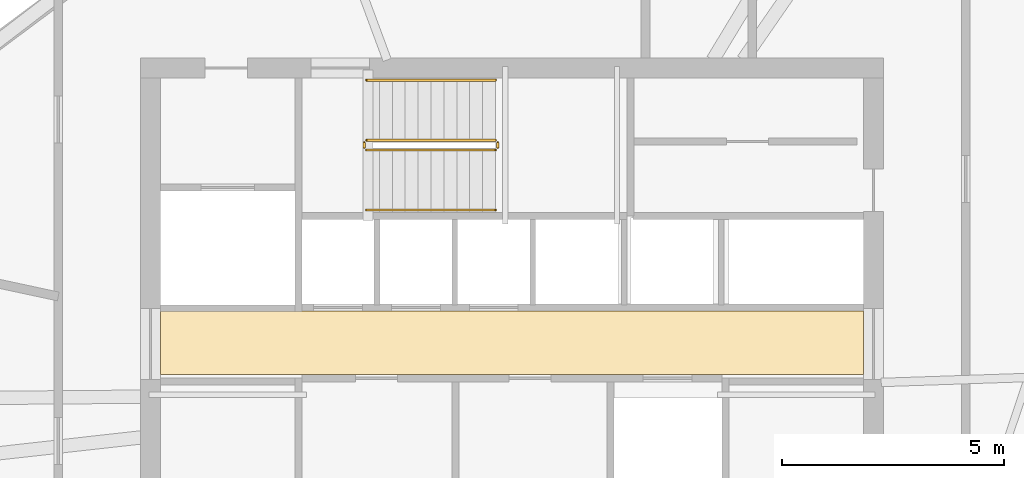
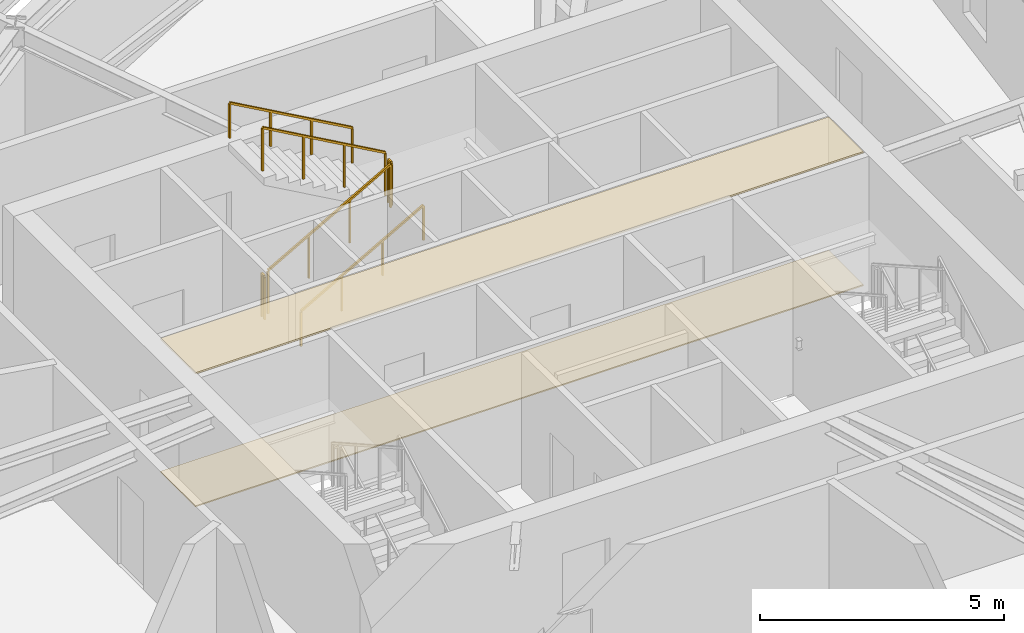
# One storey, part 12 of 13: 6 railings, 2 coverings.
"""IFC4 building model written with IfcOpenShell, lengths in metres."""

from ifc_helpers import new_model, si_unit, direction, frame, origin, origin_2d, place, context, subcontext, project, spatial, polyline, rectangle, outline, extrude, material, layer, layer_set, type_object, element, save


model = new_model("IFC4")

# Units and contexts
model_context = context("Model", 3, precision=1e-05, world=origin(), true_north=direction((0.0, 1.0)))
body_context = subcontext(model_context, "Body", "Model", "MODEL_VIEW")
ifc_project = project(units=[si_unit("LENGTHUNIT", "METRE"), si_unit("AREAUNIT", "SQUARE_METRE"), si_unit("VOLUMEUNIT", "CUBIC_METRE"), si_unit("PLANEANGLEUNIT", "RADIAN"), si_unit("MASSUNIT", "GRAM", prefix="KILO")], contexts=[model_context])

# Site, building, storey
site_placement = place(None, origin())
site = spatial("IfcSite", under=ifc_project, at=site_placement, CompositionType="ELEMENT")
building_placement = place(site_placement, origin())
building = spatial("IfcBuilding", under=site, at=building_placement, Name="Olszyna Solenne Hotel", CompositionType="ELEMENT")
storey_placement = place(building_placement, frame((0.0, 0.0, 263.300048828125)))
storey = spatial("IfcBuildingStorey", under=building, at=storey_placement, Name="L70", CompositionType="ELEMENT", Elevation=263.300048828125)

# Coverings
ifc_material_1 = material(Name="Mineral wool acoustic ceiling")
ifc_layer_1 = layer(ifc_material_1, 0.0400390625, Name="Mineral wool acoustic ceiling")
ifc_layer_set_1 = layer_set([ifc_layer_1], Name="Mineral wool acoustic ceiling")
covering_type_1 = type_object("IfcCoveringType", Name="CL-AC1", PredefinedType="CEILING", material=ifc_layer_set_1)
covering_1_placement = place(storey_placement, frame((0.0, 0.0, 3.320068359375)))
element("IfcCovering", 1, at=covering_1_placement, inside=storey, type_object=covering_type_1, Name="Lift lobby acoustic tile ceiling CL-L70-01", PredefinedType="CEILING", context=body_context, shape_type="SweptSolid", body=[
    extrude(outline(polyline([(30.10009765625, 27.030029296875), (45.89990234375, 27.030029296875), (45.89990234375, 28.4599609375), (30.10009765625, 28.4599609375), (30.10009765625, 27.030029296875)])), origin(), (0.0, 0.0, 1.0), 0.039794921875),
])
ifc_material_2 = material(Name="Ceramic floor tile")
ifc_layer_2 = layer(ifc_material_2, 0.030029296875, Name="Ceramic floor tile")
ifc_layer_set_2 = layer_set([ifc_layer_2], Name="Ceramic floor tile")
covering_type_2 = type_object("IfcCoveringType", Name="FL-TL1", PredefinedType="FLOORING", material=ifc_layer_set_2)
covering_2_placement = place(storey_placement, origin())
element("IfcCovering", 2, at=covering_2_placement, inside=storey, type_object=covering_type_2, Name="Lift lobby stoneware floor finish FLR-L70-01", PredefinedType="FLOORING", context=body_context, shape_type="SweptSolid", body=[
    extrude(outline(polyline([(30.10009765625, 27.030029296875), (45.89990234375, 27.030029296875), (45.89990234375, 28.4599609375), (30.10009765625, 28.4599609375), (30.10009765625, 27.030029296875)])), origin(), (0.0, 0.0, 1.0), 0.030029296875),
])

# Railings
ifc_material_3 = material(Name="Anodised bronze aluminium", Category="aluminium")
railing_type_1 = type_object("IfcRailingType", Name="GR-110", PredefinedType="BALUSTRADE", material=ifc_material_3)
railing_1_placement = place(storey_placement, frame((34.72998046875, 32.080078125, 0.16357421875)))
element("IfcRailing", 3, at=railing_1_placement, inside=storey, type_object=railing_type_1, Name="L70 ST3 stair guard 1", PredefinedType="BALUSTRADE", context=body_context, shape_type="SweptSolid", body=[
    extrude(rectangle(XDim=0.048095703125, YDim=0.048095703125, at=origin_2d()), frame((0.0, 0.0, 1.076171875), z_axis=(0.870897200241, 0.0, 0.491465224214), x_axis=(0.0, 1.0, 0.0)), (0.0, 0.0, 1.0), 3.329833984375),
    extrude(rectangle(XDim=0.0419921875, YDim=0.0419921875, at=origin_2d()), origin(), (0.0, 0.0, 1.0), 1.052001953125),
    extrude(rectangle(XDim=0.0419921875, YDim=0.0419921875, at=origin_2d()), frame((0.966552734375, 0.0, 0.54541015625)), (0.0, 0.0, 1.0), 1.052001953125),
    extrude(rectangle(XDim=0.0419921875, YDim=0.0419921875, at=origin_2d()), frame((1.933349609375, 0.0, 1.091064453125)), (0.0, 0.0, 1.0), 1.052001953125),
    extrude(rectangle(XDim=0.0419921875, YDim=0.0419921875, at=origin_2d()), frame((2.89990234375, 0.0, 1.636474609375)), (0.0, 0.0, 1.0), 1.052001953125),
])
railing_2_placement = place(storey_placement, frame((37.679931640625, 32.1298828125, 1.800048828125)))
element("IfcRailing", 4, at=railing_2_placement, inside=storey, type_object=railing_type_1, Name="L70 ST3 stair guard 2", PredefinedType="BALUSTRADE", context=body_context, shape_type="SweptSolid", body=[
    extrude(rectangle(XDim=0.048095703125, YDim=0.048095703125, at=origin_2d()), frame((0.0, 0.0, 1.076171875), z_axis=(0.0, 1.0, 0.0), x_axis=(-1.0, 0.0, 0.0)), (0.0, 0.0, 1.0), 0.1201171875),
    extrude(rectangle(XDim=0.0419921875, YDim=0.0419921875, at=origin_2d()), origin(), (0.0, 0.0, 1.0), 1.052001953125),
    extrude(rectangle(XDim=0.0419921875, YDim=0.0419921875, at=origin_2d()), frame((0.0, 0.1201171875, 0.0)), (0.0, 0.0, 1.0), 1.052001953125),
])
railing_3_placement = place(storey_placement, frame((37.6298828125, 32.300048828125, 1.963623046875)))
element("IfcRailing", 5, at=railing_3_placement, inside=storey, type_object=railing_type_1, Name="L70 ST3 stair guard 3", PredefinedType="BALUSTRADE", context=body_context, shape_type="SweptSolid", body=[
    extrude(rectangle(XDim=0.048095703125, YDim=0.048095703125, at=origin_2d()), frame((0.0, 0.0, 1.076171875), z_axis=(-0.870928581787, 0.0, 0.491409610636), x_axis=(0.0, -1.0, 0.0)), (0.0, 0.0, 1.0), 3.32958984375),
    extrude(rectangle(XDim=0.0419921875, YDim=0.0419921875, at=origin_2d()), origin(), (0.0, 0.0, 1.0), 1.052001953125),
    extrude(rectangle(XDim=0.0419921875, YDim=0.0419921875, at=origin_2d()), frame((-0.966552734375, 0.0, 0.54541015625)), (0.0, 0.0, 1.0), 1.052001953125),
    extrude(rectangle(XDim=0.0419921875, YDim=0.0419921875, at=origin_2d()), frame((-1.933349609375, 0.0, 1.0908203125)), (0.0, 0.0, 1.0), 1.052001953125),
    extrude(rectangle(XDim=0.0419921875, YDim=0.0419921875, at=origin_2d()), frame((-2.89990234375, 0.0, 1.63623046875)), (0.0, 0.0, 1.0), 1.052001953125),
])
railing_4_placement = place(storey_placement, frame((34.679931640625, 32.1298828125, 0.0)))
element("IfcRailing", 6, at=railing_4_placement, inside=storey, type_object=railing_type_1, Name="L70 ST3 stair guard 4", PredefinedType="BALUSTRADE", context=body_context, shape_type="SweptSolid", body=[
    extrude(rectangle(XDim=0.048095703125, YDim=0.048095703125, at=origin_2d()), frame((0.0, 0.0, 1.076171875), z_axis=(0.0, 1.0, 0.0), x_axis=(-1.0, 0.0, 0.0)), (0.0, 0.0, 1.0), 0.1201171875),
    extrude(rectangle(XDim=0.0419921875, YDim=0.0419921875, at=origin_2d()), origin(), (0.0, 0.0, 1.0), 1.052001953125),
    extrude(rectangle(XDim=0.0419921875, YDim=0.0419921875, at=origin_2d()), frame((0.0, 0.1201171875, 0.0)), (0.0, 0.0, 1.0), 1.052001953125),
])
ifc_material_4 = material(Name="Steel S355J2", Category="steel")
railing_type_2 = type_object("IfcRailingType", Name="HR-090", PredefinedType="HANDRAIL", material=ifc_material_4)
railing_5_placement = place(storey_placement, frame((34.72998046875, 30.72998046875, 0.16357421875)))
element("IfcRailing", 7, at=railing_5_placement, inside=storey, type_object=railing_type_2, Name="L70 ST3 stair handrail 1", PredefinedType="HANDRAIL", context=body_context, shape_type="SweptSolid", body=[
    extrude(rectangle(XDim=0.048095703125, YDim=0.048095703125, at=origin_2d()), frame((0.0, 0.0, 0.8759765625), z_axis=(0.870897200241, 0.0, 0.491465224214), x_axis=(0.0, 1.0, 0.0)), (0.0, 0.0, 1.0), 3.329833984375),
    extrude(rectangle(XDim=0.0419921875, YDim=0.0419921875, at=origin_2d()), origin(), (0.0, 0.0, 1.0), 0.851806640625),
    extrude(rectangle(XDim=0.0419921875, YDim=0.0419921875, at=origin_2d()), frame((0.966552734375, 0.0, 0.54541015625)), (0.0, 0.0, 1.0), 0.851806640625),
    extrude(rectangle(XDim=0.0419921875, YDim=0.0419921875, at=origin_2d()), frame((1.933349609375, 0.0, 1.091064453125)), (0.0, 0.0, 1.0), 0.851806640625),
    extrude(rectangle(XDim=0.0419921875, YDim=0.0419921875, at=origin_2d()), frame((2.89990234375, 0.0, 1.636474609375)), (0.0, 0.0, 1.0), 0.851806640625),
])
railing_6_placement = place(storey_placement, frame((37.6298828125, 33.64990234375, 1.963623046875)))
element("IfcRailing", 8, at=railing_6_placement, inside=storey, type_object=railing_type_2, Name="L70 ST3 stair handrail 2", PredefinedType="HANDRAIL", context=body_context, shape_type="SweptSolid", body=[
    extrude(rectangle(XDim=0.048095703125, YDim=0.048095703125, at=origin_2d()), frame((0.0, 0.0, 0.8759765625), z_axis=(-0.870928581787, 0.0, 0.491409610636), x_axis=(0.0, -1.0, 0.0)), (0.0, 0.0, 1.0), 3.32958984375),
    extrude(rectangle(XDim=0.0419921875, YDim=0.0419921875, at=origin_2d()), origin(), (0.0, 0.0, 1.0), 0.851806640625),
    extrude(rectangle(XDim=0.0419921875, YDim=0.0419921875, at=origin_2d()), frame((-0.966552734375, 0.0, 0.54541015625)), (0.0, 0.0, 1.0), 0.851806640625),
    extrude(rectangle(XDim=0.0419921875, YDim=0.0419921875, at=origin_2d()), frame((-1.933349609375, 0.0, 1.0908203125)), (0.0, 0.0, 1.0), 0.851806640625),
    extrude(rectangle(XDim=0.0419921875, YDim=0.0419921875, at=origin_2d()), frame((-2.89990234375, 0.0, 1.63623046875)), (0.0, 0.0, 1.0), 0.851806640625),
])

save(model, "model.ifc")
